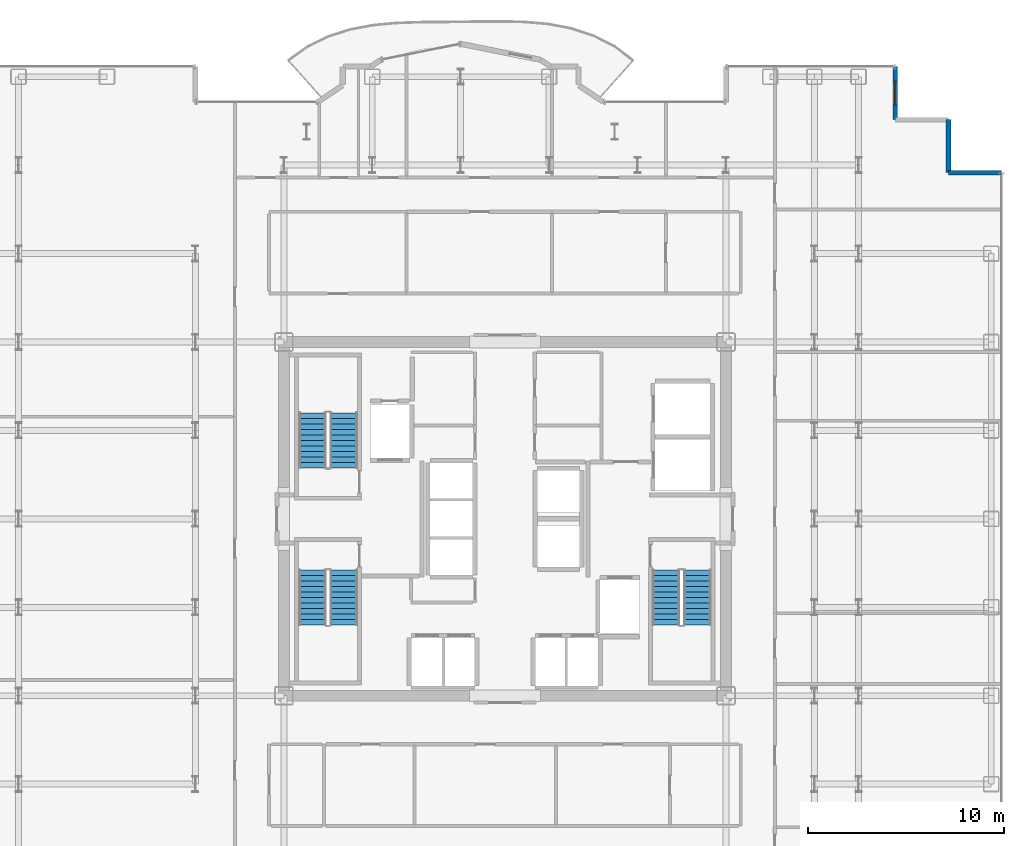
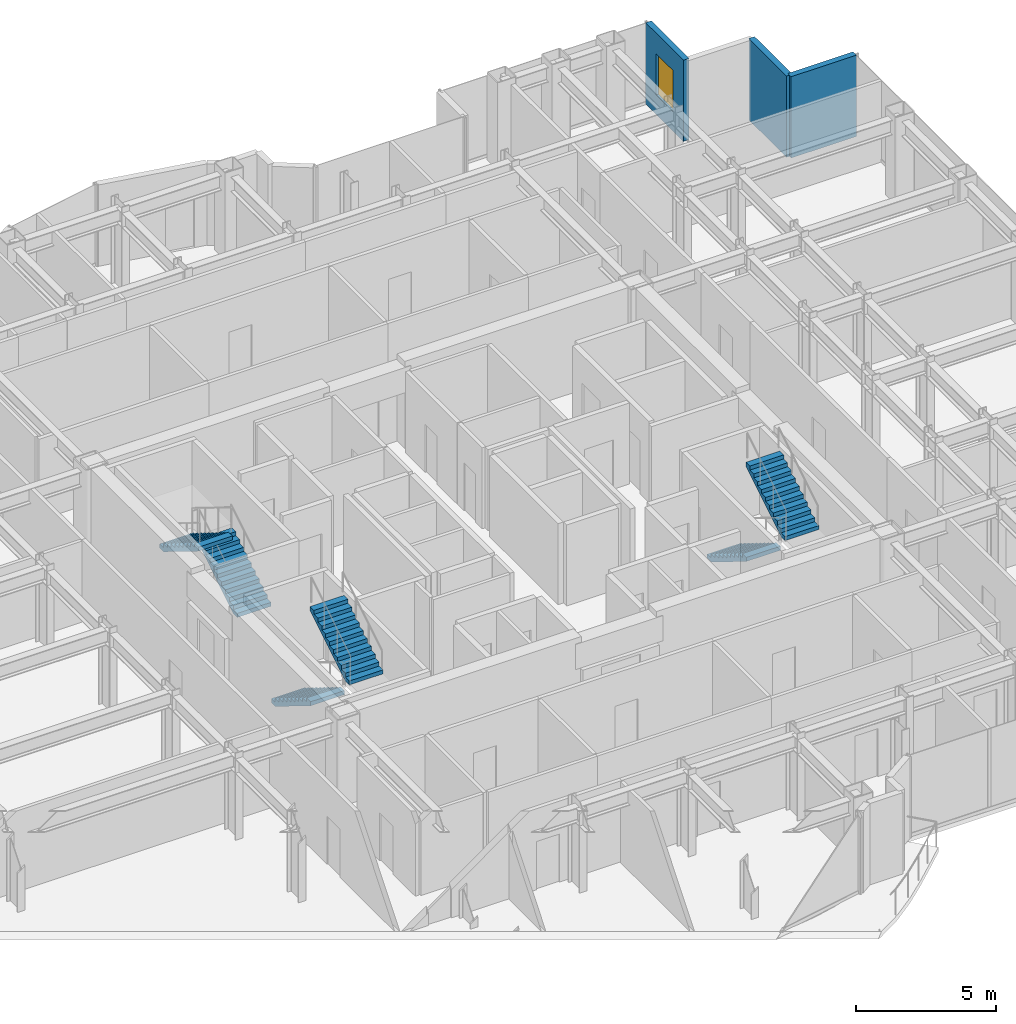
# One storey, part 21 of 23: 6 stair flights, 3 walls, 1 window, 1 opening, 3 elements without a shape of their own.
"""IFC4 building model written with IfcOpenShell, lengths in metres."""

from ifc_helpers import new_model, si_unit, direction, frame, frame_2d, origin, place, context, subcontext, project, spatial, polyline, rectangle, outline, extrude, source, transform, mapped, material, layer, layer_set, type_object, element, fill, aggregate, save


model = new_model("IFC4")

# Units and contexts
model_context = context("Model", 3, precision=1e-05, world=origin(), true_north=direction((0.0, 1.0)))
body_context = subcontext(model_context, "Body", "Model", "MODEL_VIEW")
ifc_project = project(units=[si_unit("LENGTHUNIT", "METRE"), si_unit("AREAUNIT", "SQUARE_METRE"), si_unit("VOLUMEUNIT", "CUBIC_METRE"), si_unit("PLANEANGLEUNIT", "RADIAN"), si_unit("MASSUNIT", "GRAM", prefix="KILO")], contexts=[model_context])

# Site, building, storey
site_placement = place(None, origin())
site = spatial("IfcSite", under=ifc_project, at=site_placement, CompositionType="ELEMENT")
building_placement = place(site_placement, origin())
building = spatial("IfcBuilding", under=site, at=building_placement, Name="Nefas-Gora Pilgrimage Tower", CompositionType="ELEMENT")
storey_placement = place(building_placement, frame((0.0, 0.0, 156.39990234375)))
storey = spatial("IfcBuildingStorey", under=building, at=storey_placement, Name="L38", CompositionType="ELEMENT", Elevation=156.39990234375)

# Walls
ifc_material_1 = material(Name="Precast concrete C45/55", Category="concrete")
ifc_layer = layer(ifc_material_1, 0.239990234375)
ifc_layer_set = layer_set([ifc_layer], Name="Precast concrete C45/55")
wall_type = type_object("IfcWallType", Name="EW-SERR-240", PredefinedType="SHEAR", material=ifc_layer_set)
shared_shape_1 = source(origin(), body_context, "Body", "SweptSolid", [
    extrude(rectangle(XDim=2.699951171875, YDim=0.239990234375, at=frame_2d((1.35009765625, 0.0))), origin(), (0.0, 0.0, 1.0), 3.550048828125),
])
for number, where, z_axis, x_axis, name in (
    (1, (25.27001953125, 17.6201171875, 0.0), (0.0, 0.0, 1.0), (-1.0, 0.0, 0.0), "L38 Serrated Corner Shear Pier Wall 6"),
    (2, (22.570068359375, 17.6201171875, 0.0), (0.0, 0.0, 1.0), (0.0, 1.0, 0.0), "L38 Serrated Corner Shear Pier Wall 7"),
):
    element("IfcWall", number, at=place(storey_placement, frame(where, z_axis=z_axis, x_axis=x_axis)), inside=storey, type_object=wall_type, Name=name, PredefinedType="SHEAR", context=body_context, shape_type="MappedRepresentation", body=[
        mapped(shared_shape_1, transform((0.0, 0.0, 0.0), x_axis=(1.0, 0.0, 0.0), y_axis=(0.0, 1.0, 0.0), z_axis=(0.0, 0.0, 1.0), scale=1.0)),
    ])

# Wall, opening, window
wall_placement = place(storey_placement, frame((19.8701171875, 20.320068359375, 0.0), z_axis=(0.0, 0.0, 1.0), x_axis=(0.0, 1.0, 0.0)))
wall = element("IfcWall", 3, at=wall_placement, inside=storey, type_object=wall_type, Name="L38 Serrated Corner Shear Pier Wall 9", PredefinedType="SHEAR", context=body_context, shape_type="MappedRepresentation", body=[
    mapped(shared_shape_1, transform((0.0, 0.0, 0.0), x_axis=(1.0, 0.0, 0.0), y_axis=(0.0, 1.0, 0.0), z_axis=(0.0, 0.0, 1.0), scale=1.0)),
])
opening_placement = place(wall_placement, frame((0.75, 0.0, 0.85009765625)))
opening = element("IfcOpeningElement", 4, at=opening_placement, cuts=wall, Name="Opening W-V1", PredefinedType="OPENING", context=body_context, shape_type="SweptSolid", body=[
    extrude(rectangle(XDim=1.199951171875, YDim=1.800048828125, at=frame_2d((0.60009765625, 0.89990234375))), frame((0.0, 0.1298828125, 0.0), z_axis=(0.0, -1.0, 0.0), x_axis=(1.0, 0.0, 0.0)), (0.0, 0.0, 1.0), 0.260009765625),
])
ifc_material_2 = material(Name="Dark ceramic-fritted operable aluminium-glass window", Category="aluminium")
window_type = type_object("IfcWindowType", Name="WIN-VENT-1200x1800", PartitioningType="SINGLE_PANEL", PredefinedType="WINDOW", material=ifc_material_2)
shared_shape_2 = source(origin(), body_context, "Body", "SweptSolid", [
    extrude(rectangle(XDim=1.199951171875, YDim=1.800048828125, at=frame_2d((0.60009765625, 0.89990234375))), frame((0.0, 0.030029296875, 0.0), z_axis=(0.0, -1.0, 0.0), x_axis=(1.0, 0.0, 0.0)), (0.0, 0.0, 1.0), 0.06005859375),
])
window_placement = place(opening_placement, origin())
window = element("IfcWindow", 5, at=window_placement, inside=storey, type_object=window_type, Name="L38 Operable Parallel-Outswing Window 9", OverallHeight=1.800048828125, OverallWidth=1.199951171875, PartitioningType="SINGLE_PANEL", PredefinedType="WINDOW", context=body_context, shape_type="MappedRepresentation", body=[
    mapped(shared_shape_2, transform((0.0, 0.0, 0.0), x_axis=(1.0, 0.0, 0.0), y_axis=(0.0, 1.0, 0.0), z_axis=(0.0, 0.0, 1.0), scale=1.0)),
])
fill(opening, window)

# Stair, stair flights
ifc_material_3 = material(Name="Concrete C45/55", Category="concrete")
stair_type = type_object("IfcStairType", Name="STR-1400-R1727", PredefinedType="HALF_TURN_STAIR", material=ifc_material_3)
stair_1_placement = place(storey_placement, origin())
stair_1 = element("IfcStair", 6, at=stair_1_placement, inside=storey, type_object=stair_type, Name="L38 Pressurised Tower Exit Stair ST-01", PredefinedType="HALF_TURN_STAIR")
stair_flight_type = type_object("IfcStairFlightType", Name="STF-1400-R1727", PredefinedType="STRAIGHT", material=ifc_material_3)
shared_shape_3 = source(origin(), body_context, "Body", "SweptSolid", [
    extrude(outline(polyline([(0.0, 0.0), (0.0, 0.172607421875), (0.280029296875, 0.172607421875), (0.280029296875, 0.345458984375), (0.56005859375, 0.345458984375), (0.56005859375, 0.51806640625), (0.840087890625, 0.51806640625), (0.840087890625, 0.69091796875), (1.1201171875, 0.69091796875), (1.1201171875, 0.863525390625), (1.39990234375, 0.863525390625), (1.39990234375, 1.036376953125), (1.679931640625, 1.036376953125), (1.679931640625, 1.208984375), (1.9599609375, 1.208984375), (1.9599609375, 1.3818359375), (2.239990234375, 1.3818359375), (2.239990234375, 1.554443359375), (2.52001953125, 1.554443359375), (2.52001953125, 1.727294921875), (2.800048828125, 1.727294921875), (2.800048828125, 1.89990234375), (2.800048828125, 1.551025390625), (0.285400390625, 0.0), (0.0, 0.0)])), frame((0.0, 0.699951171875, 0.0), z_axis=(0.0, -1.0, 0.0), x_axis=(1.0, 0.0, 0.0)), (0.0, 0.0, 1.0), 1.39990234375),
])
stair_flight_1_placement = place(storey_placement, frame((-8.199951171875, 2.60009765625, 0.0), z_axis=(0.0, 0.0, 1.0), x_axis=(0.0, 1.0, 0.0)))
stair_flight_1 = element("IfcStairFlight", 7, at=stair_flight_1_placement, type_object=stair_flight_type, Name="ST-01 flight 1", NumberOfRisers=11, NumberOfTreads=10, PredefinedType="STRAIGHT", RiserHeight=0.172727273, TreadLength=0.28, context=body_context, shape_type="MappedRepresentation", body=[
    mapped(shared_shape_3, transform((0.0, 0.0, 0.0), x_axis=(1.0, 0.0, 0.0), y_axis=(0.0, 1.0, 0.0), z_axis=(0.0, 0.0, 1.0), scale=1.0)),
])
stair_flight_2_placement = place(storey_placement, frame((-9.800048828125, 5.39990234375, 1.900146484375), z_axis=(0.0, 0.0, 1.0), x_axis=(0.0, -1.0, 0.0)))
stair_flight_2 = element("IfcStairFlight", 8, at=stair_flight_2_placement, type_object=stair_flight_type, Name="ST-01 flight 2", NumberOfRisers=11, NumberOfTreads=10, PredefinedType="STRAIGHT", RiserHeight=0.172727273, TreadLength=0.28, context=body_context, shape_type="MappedRepresentation", body=[
    mapped(shared_shape_3, transform((0.0, 0.0, 0.0), x_axis=(1.0, 0.0, 0.0), y_axis=(0.0, 1.0, 0.0), z_axis=(0.0, 0.0, 1.0), scale=1.0)),
])
aggregate(stair_1, [stair_flight_1, stair_flight_2])

stair_2_placement = place(storey_placement, origin())
stair_2 = element("IfcStair", 9, at=stair_2_placement, inside=storey, type_object=stair_type, Name="L38 Pressurised Tower Exit Stair ST-02", PredefinedType="HALF_TURN_STAIR")
stair_flight_3_placement = place(storey_placement, frame((8.199951171875, -2.60009765625, 0.0), z_axis=(0.0, 0.0, 1.0), x_axis=(0.0, -1.0, 0.0)))
stair_flight_3 = element("IfcStairFlight", 10, at=stair_flight_3_placement, type_object=stair_flight_type, Name="ST-02 flight 1", NumberOfRisers=11, NumberOfTreads=10, PredefinedType="STRAIGHT", RiserHeight=0.172727273, TreadLength=0.28, context=body_context, shape_type="MappedRepresentation", body=[
    mapped(shared_shape_3, transform((0.0, 0.0, 0.0), x_axis=(1.0, 0.0, 0.0), y_axis=(0.0, 1.0, 0.0), z_axis=(0.0, 0.0, 1.0), scale=1.0)),
])
stair_flight_4_placement = place(storey_placement, frame((9.800048828125, -5.39990234375, 1.900146484375), z_axis=(0.0, 0.0, 1.0), x_axis=(0.0, 1.0, 0.0)))
stair_flight_4 = element("IfcStairFlight", 11, at=stair_flight_4_placement, type_object=stair_flight_type, Name="ST-02 flight 2", NumberOfRisers=11, NumberOfTreads=10, PredefinedType="STRAIGHT", RiserHeight=0.172727273, TreadLength=0.28, context=body_context, shape_type="MappedRepresentation", body=[
    mapped(shared_shape_3, transform((0.0, 0.0, 0.0), x_axis=(1.0, 0.0, 0.0), y_axis=(0.0, 1.0, 0.0), z_axis=(0.0, 0.0, 1.0), scale=1.0)),
])
aggregate(stair_2, [stair_flight_3, stair_flight_4])

stair_3_placement = place(storey_placement, origin())
stair_3 = element("IfcStair", 12, at=stair_3_placement, inside=storey, type_object=stair_type, Name="L38 Pressurised Tower Exit Stair ST-03", PredefinedType="HALF_TURN_STAIR")
stair_flight_5_placement = place(storey_placement, frame((-9.800048828125, -2.60009765625, 0.0), z_axis=(0.0, 0.0, 1.0), x_axis=(0.0, -1.0, 0.0)))
stair_flight_5 = element("IfcStairFlight", 13, at=stair_flight_5_placement, type_object=stair_flight_type, Name="ST-03 flight 1", NumberOfRisers=11, NumberOfTreads=10, PredefinedType="STRAIGHT", RiserHeight=0.172727273, TreadLength=0.28, context=body_context, shape_type="MappedRepresentation", body=[
    mapped(shared_shape_3, transform((0.0, 0.0, 0.0), x_axis=(1.0, 0.0, 0.0), y_axis=(0.0, 1.0, 0.0), z_axis=(0.0, 0.0, 1.0), scale=1.0)),
])
stair_flight_6_placement = place(storey_placement, frame((-8.199951171875, -5.39990234375, 1.900146484375), z_axis=(0.0, 0.0, 1.0), x_axis=(0.0, 1.0, 0.0)))
stair_flight_6 = element("IfcStairFlight", 14, at=stair_flight_6_placement, type_object=stair_flight_type, Name="ST-03 flight 2", NumberOfRisers=11, NumberOfTreads=10, PredefinedType="STRAIGHT", RiserHeight=0.172727273, TreadLength=0.28, context=body_context, shape_type="MappedRepresentation", body=[
    mapped(shared_shape_3, transform((0.0, 0.0, 0.0), x_axis=(1.0, 0.0, 0.0), y_axis=(0.0, 1.0, 0.0), z_axis=(0.0, 0.0, 1.0), scale=1.0)),
])
aggregate(stair_3, [stair_flight_5, stair_flight_6])

save(model, "model.ifc")
